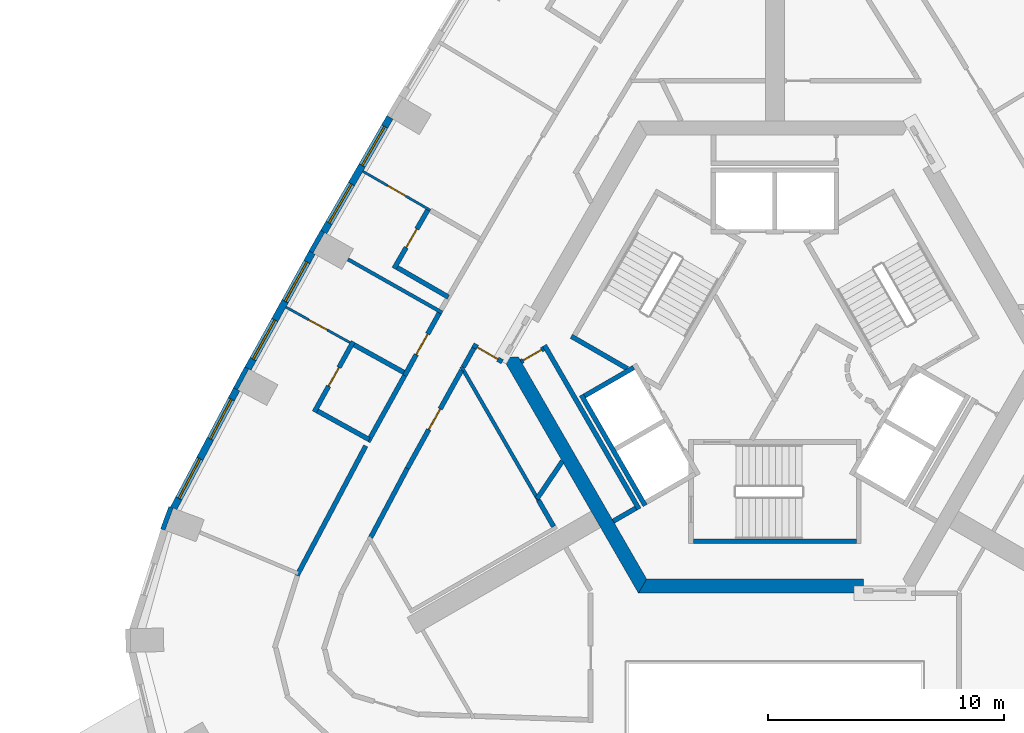
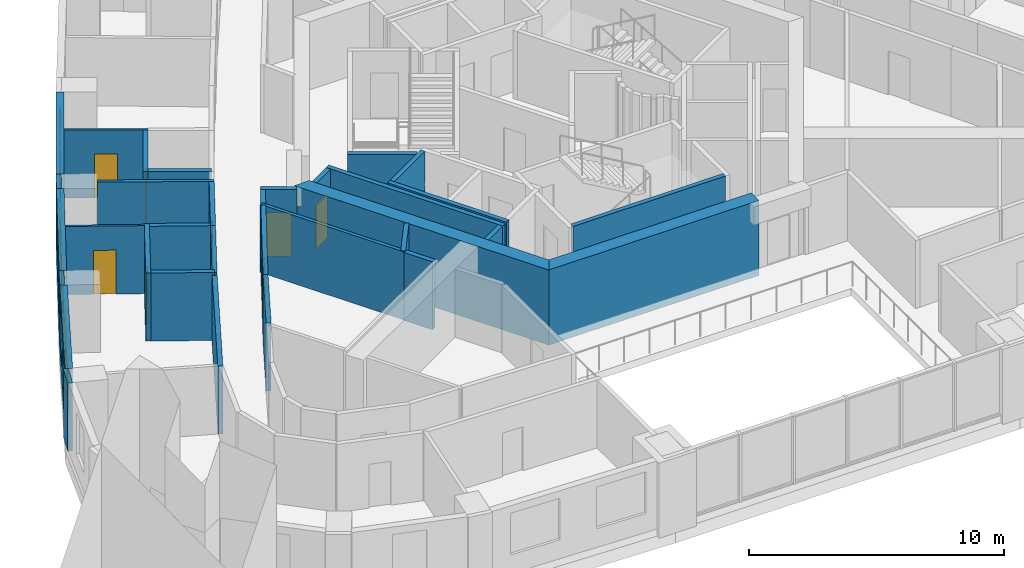
# One storey, part 4 of 13: 33 walls, 8 doors, 6 windows, 14 openings.
"""IFC4 building model written with IfcOpenShell, lengths in metres."""

from ifc_helpers import new_model, si_unit, direction, frame, frame_2d, origin, place, context, subcontext, project, spatial, polyline, rectangle, outline, extrude, material, layer, layer_set, type_object, element, fill, save


model = new_model("IFC4")

# Units and contexts
model_context = context("Model", 3, precision=1e-05, world=origin(), true_north=direction((0.0, 1.0)))
body_context = subcontext(model_context, "Body", "Model", "MODEL_VIEW")
ifc_project = project(units=[si_unit("LENGTHUNIT", "METRE"), si_unit("AREAUNIT", "SQUARE_METRE"), si_unit("VOLUMEUNIT", "CUBIC_METRE"), si_unit("PLANEANGLEUNIT", "RADIAN"), si_unit("MASSUNIT", "GRAM", prefix="KILO")], contexts=[model_context])

# Site, building, storey
site_placement = place(None, origin())
site = spatial("IfcSite", under=ifc_project, at=site_placement, CompositionType="ELEMENT")
building_placement = place(site_placement, origin())
building = spatial("IfcBuilding", under=site, at=building_placement, Name="Entoto Arch Interchange Tower", CompositionType="ELEMENT")
storey_placement = place(building_placement, frame((0.0, 0.0, 263.0)))
storey = spatial("IfcBuildingStorey", under=building, at=storey_placement, Name="L60", CompositionType="ELEMENT", Elevation=263.0)

# Walls
ifc_material_1 = material(Name="Concrete C40/50", Category="concrete")
ifc_layer_1 = layer(ifc_material_1, 0.60009765625)
ifc_layer_set_1 = layer_set([ifc_layer_1], Name="Concrete C40/50")
wall_type_1 = type_object("IfcWallType", Name="Core wall 600 C40/50", PredefinedType="SHEAR", material=ifc_layer_set_1)
wall_1_placement = place(storey_placement, frame((0.0, 0.0, -0.340087890625)))
element("IfcWall", 1, at=wall_1_placement, inside=storey, type_object=wall_type_1, Name="Core wall SW L60", PredefinedType="SHEAR", context=body_context, shape_type="SweptSolid", body=[
    extrude(outline(polyline([(-11.547119140625, 2.5), (-5.77392578125, -7.5), (-5.427001953125, -6.89990234375), (-10.85400390625, 2.5), (-11.547119140625, 2.5)])), origin(), (0.0, 0.0, 1.0), 3.60009765625),
])
wall_2_placement = place(storey_placement, frame((0.0, 0.0, -0.340087890625)))
element("IfcWall", 2, at=wall_2_placement, inside=storey, type_object=wall_type_1, Name="Core wall S L60", PredefinedType="SHEAR", context=body_context, shape_type="SweptSolid", body=[
    extrude(outline(polyline([(3.75, -7.5), (3.75, -6.89990234375), (-5.427001953125, -6.89990234375), (-5.77392578125, -7.5), (3.75, -7.5)])), origin(), (0.0, 0.0, 1.0), 3.60009765625),
])
ifc_layer_2 = layer(ifc_material_1, 0.199951171875)
ifc_layer_set_2 = layer_set([ifc_layer_2], Name="Concrete C40/50")
wall_type_2 = type_object("IfcWallType", Name="LIFT SHAFT WALL 200", PredefinedType="STANDARD", material=ifc_layer_set_2)
wall_3_placement = place(storey_placement, frame((-8.19189453125, 0.887939453125, 0.0), z_axis=(0.0, 0.0, 1.0), x_axis=(0.500034260056, -0.866005622828, 0.0)))
element("IfcWall", 3, at=wall_3_placement, inside=storey, type_object=wall_type_2, Name="Shaft wall SW1 back", PredefinedType="STANDARD", context=body_context, shape_type="SweptSolid", body=[
    extrude(rectangle(XDim=5.3994140625, YDim=0.199951171875, at=frame_2d((2.69970703125, 0.0))), origin(), (0.0, 0.0, 1.0), 3.260009765625),
])
wall_4_placement = place(storey_placement, frame((-5.97705078125, 2.052001953125, 0.0), z_axis=(0.0, 0.0, 1.0), x_axis=(-0.865973769406, -0.500089422704, 0.0)))
element("IfcWall", 4, at=wall_4_placement, inside=storey, type_object=wall_type_2, Name="Shaft wall SW1 cross 1", PredefinedType="STANDARD", context=body_context, shape_type="SweptSolid", body=[
    extrude(rectangle(XDim=2.3994140625, YDim=0.199951171875, at=frame_2d((1.19970703125, 0.0))), origin(), (0.0, 0.0, 1.0), 3.260009765625),
])

# Wall, opening, door
ifc_material_2 = material(Name="Gypsum board partition on steel studs", Category="steel")
ifc_layer_3 = layer(ifc_material_2, 0.10009765625)
ifc_layer_set_3 = layer_set([ifc_layer_3], Name="Gypsum board partition on steel studs")
wall_type_3 = type_object("IfcWallType", Name="PARTITION 100", PredefinedType="PARTITIONING", material=ifc_layer_set_3)
wall_5_placement = place(storey_placement, frame((-14.583984375, 8.7099609375, 0.0), z_axis=(0.0, 0.0, 1.0), x_axis=(-0.866008176907, 0.50002983664, 0.0)))
wall_5 = element("IfcWall", 5, at=wall_5_placement, inside=storey, type_object=wall_type_3, Name="wall:L60:p134", PredefinedType="PARTITIONING", context=body_context, shape_type="SweptSolid", body=[
    extrude(rectangle(XDim=3.300048828125, YDim=0.10009765625, at=frame_2d((1.64990234375, 0.0))), origin(), (0.0, 0.0, 1.0), 3.260009765625),
])
opening_1_placement = place(wall_5_placement, frame((1.199951171875, 0.0, 0.0)))
opening_1 = element("IfcOpeningElement", 6, at=opening_1_placement, cuts=wall_5, Name="Opening L60-D14", PredefinedType="OPENING", context=body_context, shape_type="SweptSolid", body=[
    extrude(rectangle(XDim=0.89990234375, YDim=2.10009765625, at=frame_2d((0.449951171875, 1.050048828125))), frame((0.0, 0.06005859375, 0.0), z_axis=(0.0, -1.0, 0.0), x_axis=(1.0, 0.0, 0.0)), (0.0, 0.0, 1.0), 0.1201171875),
])
ifc_material_3 = material(Name="Timber door leaf in Steel S235 frame", Category="steel")
door_type_1 = type_object("IfcDoorType", Name="DOOR DS-09 900x2100", OperationType="SINGLE_SWING_LEFT", PredefinedType="DOOR", material=ifc_material_3)
door_1_placement = place(opening_1_placement, origin())
door_1 = element("IfcDoor", 7, at=door_1_placement, inside=storey, type_object=door_type_1, Name="door:L60:14", OperationType="SINGLE_SWING_LEFT", OverallHeight=2.10009765625, OverallWidth=0.89990234375, PredefinedType="DOOR", context=body_context, shape_type="SweptSolid", body=[
    extrude(rectangle(XDim=0.89990234375, YDim=2.10009765625, at=frame_2d((0.449951171875, 1.050048828125))), frame((0.0, 0.02490234375, 0.0), z_axis=(0.0, -1.0, 0.0), x_axis=(1.0, 0.0, 0.0)), (0.0, 0.0, 1.0), 0.050048828125),
])
fill(opening_1, door_1)

wall_6_placement = place(storey_placement, frame((-17.985107421875, 3.10888671875, 0.0), z_axis=(0.0, 0.0, 1.0), x_axis=(-0.874762085098, 0.484552674614, 0.0)))
wall_6 = element("IfcWall", 8, at=wall_6_placement, inside=storey, type_object=wall_type_3, Name="wall:L60:p139", PredefinedType="PARTITIONING", context=body_context, shape_type="SweptSolid", body=[
    extrude(rectangle(XDim=3.10009765625, YDim=0.10009765625, at=frame_2d((1.550048828125, 0.0))), origin(), (0.0, 0.0, 1.0), 3.260009765625),
])
opening_2_placement = place(wall_6_placement, frame((1.10009765625, 0.0, 0.0)))
opening_2 = element("IfcOpeningElement", 9, at=opening_2_placement, cuts=wall_6, Name="Opening L60-D17", PredefinedType="OPENING", context=body_context, shape_type="SweptSolid", body=[
    extrude(rectangle(XDim=0.89990234375, YDim=2.10009765625, at=frame_2d((0.449951171875, 1.050048828125))), frame((0.0, 0.06005859375, 0.0), z_axis=(0.0, -1.0, 0.0), x_axis=(1.0, 0.0, 0.0)), (0.0, 0.0, 1.0), 0.1201171875),
])
door_2_placement = place(opening_2_placement, origin())
door_2 = element("IfcDoor", 10, at=door_2_placement, inside=storey, type_object=door_type_1, Name="door:L60:17", OperationType="SINGLE_SWING_LEFT", OverallHeight=2.10009765625, OverallWidth=0.89990234375, PredefinedType="DOOR", context=body_context, shape_type="SweptSolid", body=[
    extrude(rectangle(XDim=0.89990234375, YDim=2.10009765625, at=frame_2d((0.449951171875, 1.050048828125))), frame((0.0, 0.02490234375, 0.0), z_axis=(0.0, -1.0, 0.0), x_axis=(1.0, 0.0, 0.0)), (0.0, 0.0, 1.0), 0.050048828125),
])
fill(opening_2, door_2)

# Walls
ifc_layer_4 = layer(ifc_material_2, 0.14990234375)
ifc_layer_set_4 = layer_set([ifc_layer_4], Name="Gypsum board partition on steel studs")
wall_type_4 = type_object("IfcWallType", Name="PARTITION 150", PredefinedType="PARTITIONING", material=ifc_layer_set_4)
wall_7_placement = place(storey_placement, frame((-13.27392578125, 2.092041015625, 0.0), z_axis=(0.0, 0.0, 1.0), x_axis=(0.500002592159, -0.866023907196, 0.0)))
element("IfcWall", 11, at=wall_7_placement, inside=storey, type_object=wall_type_4, Name="wall:L60:p082", PredefinedType="PARTITIONING", context=body_context, shape_type="SweptSolid", body=[
    extrude(rectangle(XDim=6.5380859375, YDim=0.14990234375, at=frame_2d((3.26904296875, 0.0))), origin(), (0.0, 0.0, 1.0), 3.260009765625),
])
wall_8_placement = place(storey_placement, frame((-14.0830078125, 4.376953125, 0.0), z_axis=(0.0, 0.0, 1.0), x_axis=(-0.870415885751, 0.492317159799, 0.0)))
element("IfcWall", 12, at=wall_8_placement, inside=storey, type_object=wall_type_4, Name="wall:L60:p138", PredefinedType="PARTITIONING", context=body_context, shape_type="SweptSolid", body=[
    extrude(rectangle(XDim=4.58056640625, YDim=0.14990234375, at=frame_2d((2.290283203125, 0.0))), origin(), (0.0, 0.0, 1.0), 3.260009765625),
])

# Wall, opening, door
ifc_layer_5 = layer(ifc_material_2, 0.199951171875)
ifc_layer_set_5 = layer_set([ifc_layer_5], Name="Gypsum board partition on steel studs")
wall_type_5 = type_object("IfcWallType", Name="PARTITION 200", PredefinedType="PARTITIONING", material=ifc_layer_set_5)
wall_9_placement = place(storey_placement, frame((-11.5390625, 2.294921875, 0.0), z_axis=(0.0, 0.0, 1.0), x_axis=(-0.866023989838, 0.500002449018, 0.0)))
wall_9 = element("IfcWall", 13, at=wall_9_placement, inside=storey, type_object=wall_type_5, Name="wall:L60:p001", PredefinedType="PARTITIONING", context=body_context, shape_type="SweptSolid", body=[
    extrude(rectangle(XDim=1.43408203125, YDim=0.199951171875, at=frame_2d((0.717041015625, 0.0))), origin(), (0.0, 0.0, 1.0), 3.260009765625),
])
opening_3_placement = place(wall_9_placement, frame((0.217041015625, 0.0, 0.0)))
opening_3 = element("IfcOpeningElement", 14, at=opening_3_placement, cuts=wall_9, Name="Opening L60-D32", PredefinedType="OPENING", context=body_context, shape_type="SweptSolid", body=[
    extrude(rectangle(XDim=1.0, YDim=2.10009765625, at=frame_2d((0.5, 1.050048828125))), frame((0.0, 0.10986328125, 0.0), z_axis=(0.0, -1.0, 0.0), x_axis=(1.0, 0.0, 0.0)), (0.0, 0.0, 1.0), 0.219970703125),
])
door_type_2 = type_object("IfcDoorType", Name="DOOR DS-10 1000x2100", OperationType="SINGLE_SWING_LEFT", PredefinedType="DOOR", material=ifc_material_3)
door_3_placement = place(opening_3_placement, origin())
door_3 = element("IfcDoor", 15, at=door_3_placement, inside=storey, type_object=door_type_2, Name="door:L60:32", OperationType="SINGLE_SWING_RIGHT", OverallHeight=2.10009765625, OverallWidth=1.0, PredefinedType="DOOR", context=body_context, shape_type="SweptSolid", body=[
    extrude(rectangle(XDim=1.0, YDim=2.10009765625, at=frame_2d((0.5, 1.050048828125))), frame((0.0, 0.02490234375, 0.0), z_axis=(0.0, -1.0, 0.0), x_axis=(1.0, 0.0, 0.0)), (0.0, 0.0, 1.0), 0.050048828125),
])
fill(opening_3, door_3)

# Wall
wall_10_placement = place(storey_placement, frame((-12.742919921875, 2.875, 0.0), z_axis=(0.0, 0.0, 1.0), x_axis=(-0.484334040176, -0.8748831565, 0.0)))
element("IfcWall", 16, at=wall_10_placement, inside=storey, type_object=wall_type_5, Name="wall:L60:p002", PredefinedType="PARTITIONING", context=body_context, shape_type="SweptSolid", body=[
    extrude(rectangle(XDim=0.9189453125, YDim=0.199951171875, at=frame_2d((0.45947265625, 0.0))), origin(), (0.0, 0.0, 1.0), 3.260009765625),
])

# Wall, opening, door
wall_11_placement = place(storey_placement, frame((-13.260986328125, 1.93896484375, 0.0), z_axis=(0.0, 0.0, 1.0), x_axis=(-0.484323615817, -0.874888927329, 0.0)))
wall_11 = element("IfcWall", 17, at=wall_11_placement, inside=storey, type_object=wall_type_5, Name="wall:L60:p029", PredefinedType="PARTITIONING", context=body_context, shape_type="SweptSolid", body=[
    extrude(rectangle(XDim=4.7470703125, YDim=0.199951171875, at=frame_2d((2.37353515625, 0.0))), origin(), (0.0, 0.0, 1.0), 3.260009765625),
])
opening_4_placement = place(wall_11_placement, frame((1.8740234375, 0.0, 0.0)))
opening_4 = element("IfcOpeningElement", 18, at=opening_4_placement, cuts=wall_11, Name="Opening L60-D29", PredefinedType="OPENING", context=body_context, shape_type="SweptSolid", body=[
    extrude(rectangle(XDim=1.0, YDim=2.10009765625, at=frame_2d((0.5, 1.050048828125))), frame((0.0, 0.10986328125, 0.0), z_axis=(0.0, -1.0, 0.0), x_axis=(1.0, 0.0, 0.0)), (0.0, 0.0, 1.0), 0.219970703125),
])
door_4_placement = place(opening_4_placement, origin())
door_4 = element("IfcDoor", 19, at=door_4_placement, inside=storey, type_object=door_type_2, Name="door:L60:29", OperationType="SINGLE_SWING_LEFT", OverallHeight=2.10009765625, OverallWidth=1.0, PredefinedType="DOOR", context=body_context, shape_type="SweptSolid", body=[
    extrude(rectangle(XDim=1.0, YDim=2.10009765625, at=frame_2d((0.5, 1.050048828125))), frame((0.0, 0.02490234375, 0.0), z_axis=(0.0, -1.0, 0.0), x_axis=(1.0, 0.0, 0.0)), (0.0, 0.0, 1.0), 0.050048828125),
])
fill(opening_4, door_4)

# Wall
wall_12_placement = place(storey_placement, frame((-15.56005859375, -2.214111328125, 0.0), z_axis=(0.0, 0.0, 1.0), x_axis=(-0.468104679961, -0.883673021314, 0.0)))
element("IfcWall", 20, at=wall_12_placement, inside=storey, type_object=wall_type_5, Name="wall:L60:p030", PredefinedType="PARTITIONING", context=body_context, shape_type="SweptSolid", body=[
    extrude(rectangle(XDim=3.308837890625, YDim=0.199951171875, at=frame_2d((1.654296875, 0.0))), origin(), (0.0, 0.0, 1.0), 3.260009765625),
])

# Wall, opening, door
wall_13_placement = place(storey_placement, frame((-15.6708984375, 1.714111328125, 0.0), z_axis=(0.0, 0.0, 1.0), x_axis=(0.484203367026, 0.874955484216, 0.0)))
wall_13 = element("IfcWall", 21, at=wall_13_placement, inside=storey, type_object=wall_type_5, Name="wall:L60:p064", PredefinedType="PARTITIONING", context=body_context, shape_type="SweptSolid", body=[
    extrude(rectangle(XDim=3.025146484375, YDim=0.199951171875, at=frame_2d((1.5126953125, 0.0))), origin(), (0.0, 0.0, 1.0), 3.260009765625),
])
opening_5_placement = place(wall_13_placement, frame((1.012939453125, 0.0, 0.0)))
opening_5 = element("IfcOpeningElement", 22, at=opening_5_placement, cuts=wall_13, Name="Opening L60-D16", PredefinedType="OPENING", context=body_context, shape_type="SweptSolid", body=[
    extrude(rectangle(XDim=1.0, YDim=2.10009765625, at=frame_2d((0.5, 1.050048828125))), frame((0.0, 0.10986328125, 0.0), z_axis=(0.0, -1.0, 0.0), x_axis=(1.0, 0.0, 0.0)), (0.0, 0.0, 1.0), 0.219970703125),
])
ifc_material_4 = material(Name="Fire-rated Steel S235 door and frame", Category="steel")
door_type_3 = type_object("IfcDoorType", Name="DOOR FD-10 1000x2100", OperationType="SINGLE_SWING_LEFT", PredefinedType="DOOR", material=ifc_material_4)
door_5_placement = place(opening_5_placement, origin())
door_5 = element("IfcDoor", 23, at=door_5_placement, inside=storey, type_object=door_type_3, Name="door:L60:16", OperationType="SINGLE_SWING_RIGHT", OverallHeight=2.10009765625, OverallWidth=1.0, PredefinedType="DOOR", context=body_context, shape_type="SweptSolid", body=[
    extrude(rectangle(XDim=1.0, YDim=2.10009765625, at=frame_2d((0.5, 1.050048828125))), frame((0.0, 0.02490234375, 0.0), z_axis=(0.0, -1.0, 0.0), x_axis=(1.0, 0.0, 0.0)), (0.0, 0.0, 1.0), 0.050048828125),
])
fill(opening_5, door_5)

# Walls
wall_14_placement = place(storey_placement, frame((-20.22900390625, -6.75390625, 0.0), z_axis=(0.0, 0.0, 1.0), x_axis=(0.468313568794, 0.883562335822, 0.0)))
element("IfcWall", 24, at=wall_14_placement, inside=storey, type_object=wall_type_5, Name="wall:L60:p065", PredefinedType="PARTITIONING", context=body_context, shape_type="SweptSolid", body=[
    extrude(rectangle(XDim=6.215576171875, YDim=0.199951171875, at=frame_2d((3.10791015625, 0.0))), origin(), (0.0, 0.0, 1.0), 3.260009765625),
])
wall_15_placement = place(storey_placement, frame((-17.220947265625, -1.0849609375, 0.0), z_axis=(0.0, 0.0, 1.0), x_axis=(0.48445041864, 0.874818719438, 0.0)))
element("IfcWall", 25, at=wall_15_placement, inside=storey, type_object=wall_type_5, Name="wall:L60:p066", PredefinedType="PARTITIONING", context=body_context, shape_type="SweptSolid", body=[
    extrude(rectangle(XDim=3.19970703125, YDim=0.199951171875, at=frame_2d((1.599853515625, 0.0))), origin(), (0.0, 0.0, 1.0), 3.260009765625),
])
wall_16_placement = place(storey_placement, frame((-5.887939453125, -3.902099609375, 0.0), z_axis=(0.0, 0.0, 1.0), x_axis=(-0.86621513555, -0.499671230855, 0.0)))
element("IfcWall", 26, at=wall_16_placement, inside=storey, type_object=wall_type_5, Name="wall:L60:p078", PredefinedType="PARTITIONING", context=body_context, shape_type="SweptSolid", body=[
    extrude(rectangle(XDim=1.100341796875, YDim=0.199951171875, at=frame_2d((0.55029296875, 0.0))), origin(), (0.0, 0.0, 1.0), 3.260009765625),
])

# Wall, opening, door
wall_17_placement = place(storey_placement, frame((-10.740966796875, 2.302978515625, 0.0), z_axis=(0.0, 0.0, 1.0), x_axis=(0.866063652425, 0.499933745558, 0.0)))
wall_17 = element("IfcWall", 27, at=wall_17_placement, inside=storey, type_object=wall_type_5, Name="wall:L60:p079", PredefinedType="PARTITIONING", context=body_context, shape_type="SweptSolid", body=[
    extrude(rectangle(XDim=1.100341796875, YDim=0.199951171875, at=frame_2d((0.55029296875, 0.0))), origin(), (0.0, 0.0, 1.0), 3.260009765625),
])
opening_6_placement = place(wall_17_placement, frame((0.10009765625, 0.0, 0.0)))
opening_6 = element("IfcOpeningElement", 28, at=opening_6_placement, cuts=wall_17, Name="Opening L60-D39", PredefinedType="OPENING", context=body_context, shape_type="SweptSolid", body=[
    extrude(rectangle(XDim=0.89990234375, YDim=2.10009765625, at=frame_2d((0.449951171875, 1.050048828125))), frame((0.0, 0.10986328125, 0.0), z_axis=(0.0, -1.0, 0.0), x_axis=(1.0, 0.0, 0.0)), (0.0, 0.0, 1.0), 0.219970703125),
])
door_6_placement = place(opening_6_placement, origin())
door_6 = element("IfcDoor", 29, at=door_6_placement, inside=storey, type_object=door_type_1, Name="door:L60:39", OperationType="SINGLE_SWING_RIGHT", OverallHeight=2.10009765625, OverallWidth=0.89990234375, PredefinedType="DOOR", context=body_context, shape_type="SweptSolid", body=[
    extrude(rectangle(XDim=0.89990234375, YDim=2.10009765625, at=frame_2d((0.449951171875, 1.050048828125))), frame((0.0, 0.02490234375, 0.0), z_axis=(0.0, -1.0, 0.0), x_axis=(1.0, 0.0, 0.0)), (0.0, 0.0, 1.0), 0.050048828125),
])
fill(opening_6, door_6)

# Walls
wall_18_placement = place(storey_placement, frame((-9.7509765625, 2.989990234375, 0.0), z_axis=(0.0, 0.0, 1.0), x_axis=(0.500012163284, -0.866018381195, 0.0)))
element("IfcWall", 30, at=wall_18_placement, inside=storey, type_object=wall_type_5, Name="wall:L60:p080", PredefinedType="PARTITIONING", context=body_context, shape_type="SweptSolid", body=[
    extrude(rectangle(XDim=7.999755859375, YDim=0.199951171875, at=frame_2d((4.0, 0.0))), origin(), (0.0, 0.0, 1.0), 3.260009765625),
])
wall_19_placement = place(storey_placement, frame((-10.069091796875, -3.50390625, 0.0), z_axis=(0.0, 0.0, 1.0), x_axis=(0.559779346026, 0.828641710127, 0.0)))
element("IfcWall", 31, at=wall_19_placement, inside=storey, type_object=wall_type_5, Name="wall:L60:p081", PredefinedType="PARTITIONING", context=body_context, shape_type="SweptSolid", body=[
    extrude(rectangle(XDim=1.9150390625, YDim=0.199951171875, at=frame_2d((0.95751953125, 0.0))), origin(), (0.0, 0.0, 1.0), 3.260009765625),
])
wall_20_placement = place(storey_placement, frame((-9.364013671875, -4.679931640625, 0.0), z_axis=(0.0, 0.0, 1.0), x_axis=(-0.500052244015, 0.865995238587, 0.0)))
element("IfcWall", 32, at=wall_20_placement, inside=storey, type_object=wall_type_5, Name="wall:L60:p099", PredefinedType="PARTITIONING", context=body_context, shape_type="SweptSolid", body=[
    extrude(rectangle(XDim=1.281494140625, YDim=0.199951171875, at=frame_2d((0.640625, 0.0))), origin(), (0.0, 0.0, 1.0), 3.260009765625),
])

# Wall, opening, door
wall_21_placement = place(storey_placement, frame((-14.64501953125, 8.802978515625, 0.0), z_axis=(0.0, 0.0, 1.0), x_axis=(-0.500001826776, -0.866024349092, 0.0)))
wall_21 = element("IfcWall", 33, at=wall_21_placement, inside=storey, type_object=wall_type_5, Name="wall:L60:p136", PredefinedType="PARTITIONING", context=body_context, shape_type="SweptSolid", body=[
    extrude(rectangle(XDim=2.9501953125, YDim=0.199951171875, at=frame_2d((1.47509765625, 0.0))), origin(), (0.0, 0.0, 1.0), 3.260009765625),
])
opening_7_placement = place(wall_21_placement, frame((1.02490234375, 0.0, 0.0)))
opening_7 = element("IfcOpeningElement", 34, at=opening_7_placement, cuts=wall_21, Name="Opening L60-D15", PredefinedType="OPENING", context=body_context, shape_type="SweptSolid", body=[
    extrude(rectangle(XDim=0.89990234375, YDim=2.10009765625, at=frame_2d((0.449951171875, 1.050048828125))), frame((0.0, 0.10986328125, 0.0), z_axis=(0.0, -1.0, 0.0), x_axis=(1.0, 0.0, 0.0)), (0.0, 0.0, 1.0), 0.219970703125),
])
door_7_placement = place(opening_7_placement, origin())
door_7 = element("IfcDoor", 35, at=door_7_placement, inside=storey, type_object=door_type_1, Name="door:L60:15", OperationType="SINGLE_SWING_LEFT", OverallHeight=2.10009765625, OverallWidth=0.89990234375, PredefinedType="DOOR", context=body_context, shape_type="SweptSolid", body=[
    extrude(rectangle(XDim=0.89990234375, YDim=2.10009765625, at=frame_2d((0.449951171875, 1.050048828125))), frame((0.0, 0.02490234375, 0.0), z_axis=(0.0, -1.0, 0.0), x_axis=(1.0, 0.0, 0.0)), (0.0, 0.0, 1.0), 0.050048828125),
])
fill(opening_7, door_7)

# Walls
wall_22_placement = place(storey_placement, frame((-15.98388671875, 6.284912109375, 0.0), z_axis=(0.0, 0.0, 1.0), x_axis=(0.865998541277, -0.500046524342, 0.0)))
element("IfcWall", 36, at=wall_22_placement, inside=storey, type_object=wall_type_5, Name="wall:L60:p137", PredefinedType="PARTITIONING", context=body_context, shape_type="SweptSolid", body=[
    extrude(rectangle(XDim=2.499755859375, YDim=0.199951171875, at=frame_2d((1.25, 0.0))), origin(), (0.0, 0.0, 1.0), 3.260009765625),
])
wall_23_placement = place(storey_placement, frame((-15.7099609375, 1.85009765625, 0.0), z_axis=(0.0, 0.0, 1.0), x_axis=(-0.874842414173, 0.484407628308, 0.0)))
element("IfcWall", 37, at=wall_23_placement, inside=storey, type_object=wall_type_5, Name="wall:L60:p140", PredefinedType="PARTITIONING", context=body_context, shape_type="SweptSolid", body=[
    extrude(rectangle(XDim=2.400634765625, YDim=0.199951171875, at=frame_2d((1.2001953125, 0.0))), origin(), (0.0, 0.0, 1.0), 3.260009765625),
])

# Wall, opening, door
wall_24_placement = place(storey_placement, frame((-17.84912109375, 3.14794921875, 0.0), z_axis=(0.0, 0.0, 1.0), x_axis=(-0.484257957482, -0.874925271446, 0.0)))
wall_24 = element("IfcWall", 38, at=wall_24_placement, inside=storey, type_object=wall_type_5, Name="wall:L60:p141", PredefinedType="PARTITIONING", context=body_context, shape_type="SweptSolid", body=[
    extrude(rectangle(XDim=3.39892578125, YDim=0.199951171875, at=frame_2d((1.699462890625, 0.0))), origin(), (0.0, 0.0, 1.0), 3.260009765625),
])
opening_8_placement = place(wall_24_placement, frame((1.25, 0.0, 0.0)))
opening_8 = element("IfcOpeningElement", 39, at=opening_8_placement, cuts=wall_24, Name="Opening L60-D18", PredefinedType="OPENING", context=body_context, shape_type="SweptSolid", body=[
    extrude(rectangle(XDim=0.89990234375, YDim=2.10009765625, at=frame_2d((0.449951171875, 1.050048828125))), frame((0.0, 0.10986328125, 0.0), z_axis=(0.0, -1.0, 0.0), x_axis=(1.0, 0.0, 0.0)), (0.0, 0.0, 1.0), 0.219970703125),
])
door_8_placement = place(opening_8_placement, origin())
door_8 = element("IfcDoor", 40, at=door_8_placement, inside=storey, type_object=door_type_1, Name="door:L60:18", OperationType="SINGLE_SWING_LEFT", OverallHeight=2.10009765625, OverallWidth=0.89990234375, PredefinedType="DOOR", context=body_context, shape_type="SweptSolid", body=[
    extrude(rectangle(XDim=0.89990234375, YDim=2.10009765625, at=frame_2d((0.449951171875, 1.050048828125))), frame((0.0, 0.02490234375, 0.0), z_axis=(0.0, -1.0, 0.0), x_axis=(1.0, 0.0, 0.0)), (0.0, 0.0, 1.0), 0.050048828125),
])
fill(opening_8, door_8)

# Walls
wall_25_placement = place(storey_placement, frame((-19.360107421875, 0.212890625, 0.0), z_axis=(0.0, 0.0, 1.0), x_axis=(0.874939003568, -0.484233146362, 0.0)))
element("IfcWall", 41, at=wall_25_placement, inside=storey, type_object=wall_type_5, Name="wall:L60:p142", PredefinedType="PARTITIONING", context=body_context, shape_type="SweptSolid", body=[
    extrude(rectangle(XDim=2.500732421875, YDim=0.199951171875, at=frame_2d((1.25048828125, 0.0))), origin(), (0.0, 0.0, 1.0), 3.260009765625),
])
ifc_layer_6 = layer(ifc_material_1, 0.199951171875)
ifc_layer_set_6 = layer_set([ifc_layer_6], Name="Concrete C40/50")
wall_type_6 = type_object("IfcWallType", Name="STAIR ENCLOSURE WALL 200", PredefinedType="STANDARD", material=ifc_layer_set_6)
wall_26_placement = place(storey_placement, frame((-3.449951171875, -5.300048828125, 0.0), z_axis=(0.0, 0.0, 1.0), x_axis=(1.0, 0.0, 0.0)))
element("IfcWall", 42, at=wall_26_placement, inside=storey, type_object=wall_type_6, Name="Stair wall ST-S back", PredefinedType="STANDARD", context=body_context, shape_type="SweptSolid", body=[
    extrude(rectangle(XDim=6.89990234375, YDim=0.199951171875, at=frame_2d((3.449951171875, 0.0))), origin(), (0.0, 0.0, 1.0), 3.260009765625),
])
wall_27_placement = place(storey_placement, frame((-6.25, 2.010009765625, 0.0), z_axis=(0.0, 0.0, 1.0), x_axis=(-0.86611865017, 0.499838457731, 0.0)))
element("IfcWall", 43, at=wall_27_placement, inside=storey, type_object=wall_type_6, Name="Stair wall ST-NW far", PredefinedType="STANDARD", context=body_context, shape_type="SweptSolid", body=[
    extrude(rectangle(XDim=2.73291015625, YDim=0.199951171875, at=frame_2d((1.366455078125, 0.0))), origin(), (0.0, 0.0, 1.0), 3.260009765625),
])

# Wall, openings, windows
ifc_material_5 = material(Name="Welded tuff (ignimbrite) cladding, warm buff", Category="masonry")
ifc_layer_7 = layer(ifc_material_5, 0.300048828125)
ifc_layer_set_7 = layer_set([ifc_layer_7], Name="Welded tuff (ignimbrite) cladding, warm buff")
wall_type_7 = type_object("IfcWallType", Name="STONE INFILL WALL 300", PredefinedType="STANDARD", material=ifc_layer_set_7)
wall_28_placement = place(storey_placement, frame((-16.2939453125, 12.64697265625, 0.0), z_axis=(0.0, 0.0, 1.0), x_axis=(-0.500041292042, -0.866001562501, 0.0)))
wall_28 = element("IfcWall", 44, at=wall_28_placement, inside=storey, type_object=wall_type_7, Name="Facade wall NW-03 L60", PredefinedType="STANDARD", context=body_context, shape_type="SweptSolid", body=[
    extrude(rectangle(XDim=5.61181640625, YDim=0.300048828125, at=frame_2d((2.805908203125, 0.0))), origin(), (0.0, 0.0, 1.0), 3.260009765625),
])
opening_9_placement = place(wall_28_placement, frame((0.452880859375, 0.0, 0.89990234375)))
opening_9 = element("IfcOpeningElement", 45, at=opening_9_placement, cuts=wall_28, Name="Opening WH-C", PredefinedType="OPENING", context=body_context, shape_type="SweptSolid", body=[
    extrude(rectangle(XDim=1.89990234375, YDim=2.0, at=frame_2d((0.949951171875, 1.0))), frame((0.0, 0.16015625, 0.0), z_axis=(0.0, -1.0, 0.0), x_axis=(1.0, 0.0, 0.0)), (0.0, 0.0, 1.0), 0.320068359375),
])
opening_10_placement = place(wall_28_placement, frame((3.259033203125, 0.0, 0.89990234375)))
opening_10 = element("IfcOpeningElement", 46, at=opening_10_placement, cuts=wall_28, Name="Opening WH-C", PredefinedType="OPENING", context=body_context, shape_type="SweptSolid", body=[
    extrude(rectangle(XDim=1.89990234375, YDim=2.0, at=frame_2d((0.949951171875, 1.0))), frame((0.0, 0.16015625, 0.0), z_axis=(0.0, -1.0, 0.0), x_axis=(1.0, 0.0, 0.0)), (0.0, 0.0, 1.0), 0.320068359375),
])
ifc_material_6 = material(Name="Clear glass, low-e double glazed", Category="glass")
window_type = type_object("IfcWindowType", Name="WINDOW WH-C 1900x2000", PartitioningType="DOUBLE_PANEL_VERTICAL", PredefinedType="WINDOW", material=ifc_material_6)
window_1_placement = place(opening_9_placement, origin())
window_1 = element("IfcWindow", 47, at=window_1_placement, inside=storey, type_object=window_type, Name="Window WH-C NW-03 L60", OverallHeight=2.0, OverallWidth=1.89990234375, PartitioningType="SINGLE_PANEL", PredefinedType="WINDOW", context=body_context, shape_type="SweptSolid", body=[
    extrude(rectangle(XDim=1.89990234375, YDim=2.0, at=frame_2d((0.949951171875, 1.0))), frame((0.0, 0.030029296875, 0.0), z_axis=(0.0, -1.0, 0.0), x_axis=(1.0, 0.0, 0.0)), (0.0, 0.0, 1.0), 0.06005859375),
])
fill(opening_9, window_1)
window_2_placement = place(opening_10_placement, origin())
window_2 = element("IfcWindow", 48, at=window_2_placement, inside=storey, type_object=window_type, Name="Window WH-C NW-03 L60", OverallHeight=2.0, OverallWidth=1.89990234375, PartitioningType="SINGLE_PANEL", PredefinedType="WINDOW", context=body_context, shape_type="SweptSolid", body=[
    extrude(rectangle(XDim=1.89990234375, YDim=2.0, at=frame_2d((0.949951171875, 1.0))), frame((0.0, 0.030029296875, 0.0), z_axis=(0.0, -1.0, 0.0), x_axis=(1.0, 0.0, 0.0)), (0.0, 0.0, 1.0), 0.06005859375),
])
fill(opening_10, window_2)

wall_29_placement = place(storey_placement, frame((-19.591064453125, 6.9189453125, 0.0), z_axis=(0.0, 0.0, 1.0), x_axis=(-0.484260568952, -0.874923826032, 0.0)))
wall_29 = element("IfcWall", 49, at=wall_29_placement, inside=storey, type_object=wall_type_7, Name="Facade wall NW-04 L60", PredefinedType="STANDARD", context=body_context, shape_type="SweptSolid", body=[
    extrude(rectangle(XDim=5.610595703125, YDim=0.300048828125, at=frame_2d((2.80517578125, 0.0))), origin(), (0.0, 0.0, 1.0), 3.260009765625),
])
opening_11_placement = place(wall_29_placement, frame((0.452880859375, 0.0, 0.89990234375)))
opening_11 = element("IfcOpeningElement", 50, at=opening_11_placement, cuts=wall_29, Name="Opening WH-C", PredefinedType="OPENING", context=body_context, shape_type="SweptSolid", body=[
    extrude(rectangle(XDim=1.89990234375, YDim=2.0, at=frame_2d((0.949951171875, 1.0))), frame((0.0, 0.16015625, 0.0), z_axis=(0.0, -1.0, 0.0), x_axis=(1.0, 0.0, 0.0)), (0.0, 0.0, 1.0), 0.320068359375),
])
opening_12_placement = place(wall_29_placement, frame((3.258056640625, 0.0, 0.89990234375)))
opening_12 = element("IfcOpeningElement", 51, at=opening_12_placement, cuts=wall_29, Name="Opening WH-C", PredefinedType="OPENING", context=body_context, shape_type="SweptSolid", body=[
    extrude(rectangle(XDim=1.89990234375, YDim=2.0, at=frame_2d((0.949951171875, 1.0))), frame((0.0, 0.16015625, 0.0), z_axis=(0.0, -1.0, 0.0), x_axis=(1.0, 0.0, 0.0)), (0.0, 0.0, 1.0), 0.320068359375),
])
window_3_placement = place(opening_11_placement, origin())
window_3 = element("IfcWindow", 52, at=window_3_placement, inside=storey, type_object=window_type, Name="Window WH-C NW-04 L60", OverallHeight=2.0, OverallWidth=1.89990234375, PartitioningType="SINGLE_PANEL", PredefinedType="WINDOW", context=body_context, shape_type="SweptSolid", body=[
    extrude(rectangle(XDim=1.89990234375, YDim=2.0, at=frame_2d((0.949951171875, 1.0))), frame((0.0, 0.030029296875, 0.0), z_axis=(0.0, -1.0, 0.0), x_axis=(1.0, 0.0, 0.0)), (0.0, 0.0, 1.0), 0.06005859375),
])
fill(opening_11, window_3)
window_4_placement = place(opening_12_placement, origin())
window_4 = element("IfcWindow", 53, at=window_4_placement, inside=storey, type_object=window_type, Name="Window WH-C NW-04 L60", OverallHeight=2.0, OverallWidth=1.89990234375, PartitioningType="SINGLE_PANEL", PredefinedType="WINDOW", context=body_context, shape_type="SweptSolid", body=[
    extrude(rectangle(XDim=1.89990234375, YDim=2.0, at=frame_2d((0.949951171875, 1.0))), frame((0.0, 0.030029296875, 0.0), z_axis=(0.0, -1.0, 0.0), x_axis=(1.0, 0.0, 0.0)), (0.0, 0.0, 1.0), 0.06005859375),
])
fill(opening_12, window_4)

wall_30_placement = place(storey_placement, frame((-22.783935546875, 1.132080078125, 0.0), z_axis=(0.0, 0.0, 1.0), x_axis=(-0.468220106253, -0.883611867338, 0.0)))
wall_30 = element("IfcWall", 54, at=wall_30_placement, inside=storey, type_object=wall_type_7, Name="Facade wall NW-05 L60", PredefinedType="STANDARD", context=body_context, shape_type="SweptSolid", body=[
    extrude(rectangle(XDim=5.702880859375, YDim=0.300048828125, at=frame_2d((2.8515625, 0.0))), origin(), (0.0, 0.0, 1.0), 3.260009765625),
])
opening_13_placement = place(wall_30_placement, frame((0.47607421875, 0.0, 0.89990234375)))
opening_13 = element("IfcOpeningElement", 55, at=opening_13_placement, cuts=wall_30, Name="Opening WH-C", PredefinedType="OPENING", context=body_context, shape_type="SweptSolid", body=[
    extrude(rectangle(XDim=1.89990234375, YDim=2.0, at=frame_2d((0.949951171875, 1.0))), frame((0.0, 0.16015625, 0.0), z_axis=(0.0, -1.0, 0.0), x_axis=(1.0, 0.0, 0.0)), (0.0, 0.0, 1.0), 0.320068359375),
])
opening_14_placement = place(wall_30_placement, frame((3.326904296875, 0.0, 0.89990234375)))
opening_14 = element("IfcOpeningElement", 56, at=opening_14_placement, cuts=wall_30, Name="Opening WH-C", PredefinedType="OPENING", context=body_context, shape_type="SweptSolid", body=[
    extrude(rectangle(XDim=1.89990234375, YDim=2.0, at=frame_2d((0.949951171875, 1.0))), frame((0.0, 0.16015625, 0.0), z_axis=(0.0, -1.0, 0.0), x_axis=(1.0, 0.0, 0.0)), (0.0, 0.0, 1.0), 0.320068359375),
])
window_5_placement = place(opening_13_placement, origin())
window_5 = element("IfcWindow", 57, at=window_5_placement, inside=storey, type_object=window_type, Name="Window WH-C NW-05 L60", OverallHeight=2.0, OverallWidth=1.89990234375, PartitioningType="SINGLE_PANEL", PredefinedType="WINDOW", context=body_context, shape_type="SweptSolid", body=[
    extrude(rectangle(XDim=1.89990234375, YDim=2.0, at=frame_2d((0.949951171875, 1.0))), frame((0.0, 0.030029296875, 0.0), z_axis=(0.0, -1.0, 0.0), x_axis=(1.0, 0.0, 0.0)), (0.0, 0.0, 1.0), 0.06005859375),
])
fill(opening_13, window_5)
window_6_placement = place(opening_14_placement, origin())
window_6 = element("IfcWindow", 58, at=window_6_placement, inside=storey, type_object=window_type, Name="Window WH-C NW-05 L60", OverallHeight=2.0, OverallWidth=1.89990234375, PartitioningType="SINGLE_PANEL", PredefinedType="WINDOW", context=body_context, shape_type="SweptSolid", body=[
    extrude(rectangle(XDim=1.89990234375, YDim=2.0, at=frame_2d((0.949951171875, 1.0))), frame((0.0, 0.030029296875, 0.0), z_axis=(0.0, -1.0, 0.0), x_axis=(1.0, 0.0, 0.0)), (0.0, 0.0, 1.0), 0.06005859375),
])
fill(opening_14, window_6)

# Walls
ifc_layer_8 = layer(ifc_material_5, 0.199951171875)
ifc_layer_set_8 = layer_set([ifc_layer_8], Name="Welded tuff (ignimbrite) cladding, warm buff")
wall_type_8 = type_object("IfcWallType", Name="STONE PIER CLADDING 200", PredefinedType="STANDARD", material=ifc_layer_set_8)
wall_31_placement = place(storey_placement, frame((-19.14697265625, 7.81494140625, 0.0), z_axis=(0.0, 0.0, 1.0), x_axis=(-0.491848119507, -0.870681013539, 0.0)))
element("IfcWall", 59, at=wall_31_placement, inside=storey, type_object=wall_type_8, Name="Stone pier NW04 L60", PredefinedType="STANDARD", context=body_context, shape_type="SweptSolid", body=[
    extrude(rectangle(XDim=1.000244140625, YDim=0.199951171875, at=frame_2d((0.5, 0.0))), origin(), (0.0, 0.0, 1.0), 3.260009765625),
])
wall_32_placement = place(storey_placement, frame((-22.35693359375, 2.037109375, 0.0), z_axis=(0.0, 0.0, 1.0), x_axis=(-0.473852444207, -0.880604259085, 0.0)))
element("IfcWall", 60, at=wall_32_placement, inside=storey, type_object=wall_type_8, Name="Stone pier NW05 L60", PredefinedType="STANDARD", context=body_context, shape_type="SweptSolid", body=[
    extrude(rectangle(XDim=1.00048828125, YDim=0.199951171875, at=frame_2d((0.500244140625, 0.0))), origin(), (0.0, 0.0, 1.0), 3.260009765625),
])
wall_33_placement = place(storey_placement, frame((-25.56494140625, -3.864990234375, 0.0), z_axis=(0.0, 0.0, 1.0), x_axis=(-0.347107644204, -0.937825294677, 0.0)))
element("IfcWall", 61, at=wall_33_placement, inside=storey, type_object=wall_type_8, Name="Stone pier NW06 L60", PredefinedType="STANDARD", context=body_context, shape_type="SweptSolid", body=[
    extrude(rectangle(XDim=1.000244140625, YDim=0.199951171875, at=frame_2d((0.5, 0.0))), origin(), (0.0, 0.0, 1.0), 3.260009765625),
])

save(model, "model.ifc")
